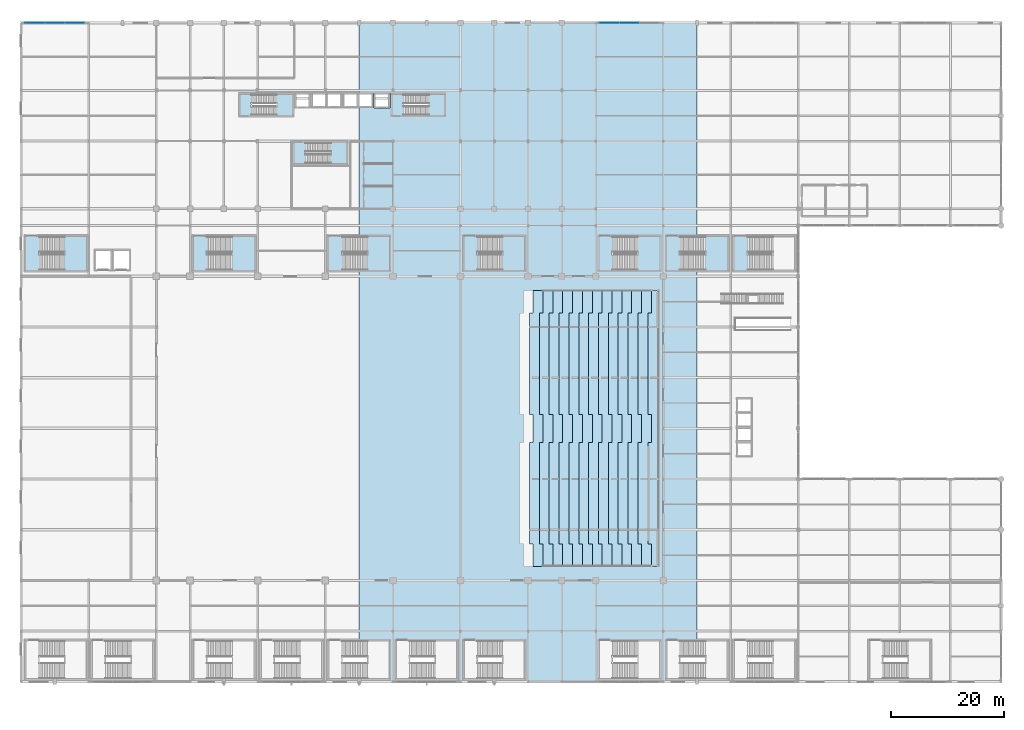
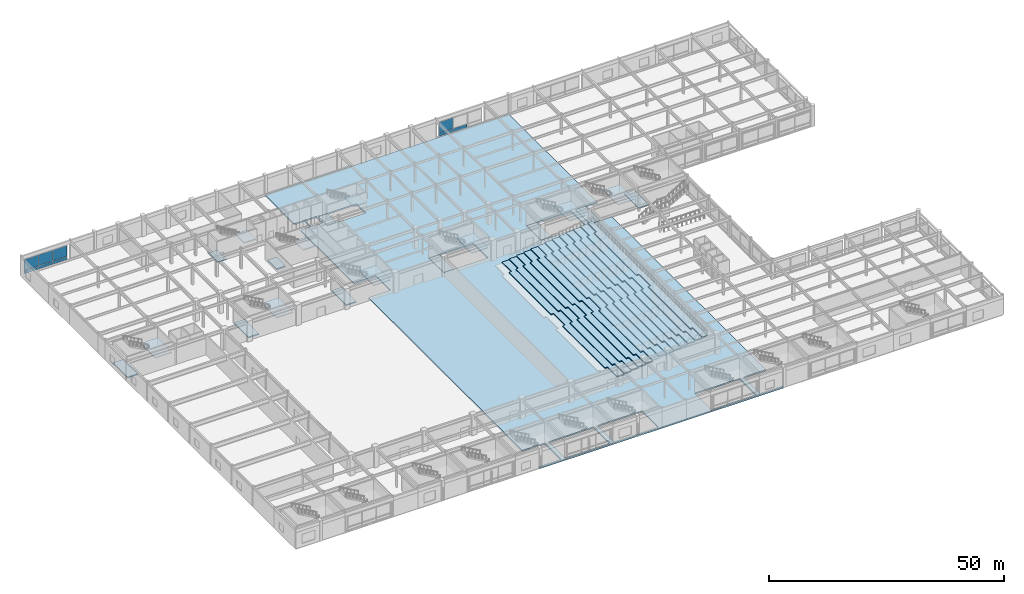
# One storey, part 76 of 100: 33 slabs, 9 plates, 11 elements without a shape of their own.
"""IFC4 building model written with IfcOpenShell, lengths in metres."""

from ifc_helpers import new_model, si_unit, direction, frame, origin, origin_2d, place, context, subcontext, project, spatial, polyline, rectangle, outline, extrude, material, layer, layer_set, type_object, element, aggregate, save


model = new_model("IFC4")

# Units and contexts
model_context = context("Model", 3, precision=1e-05, world=origin(), true_north=direction((0.0, 1.0)))
body_context = subcontext(model_context, "Body", "Model", "MODEL_VIEW")
ifc_project = project(units=[si_unit("LENGTHUNIT", "METRE"), si_unit("AREAUNIT", "SQUARE_METRE"), si_unit("VOLUMEUNIT", "CUBIC_METRE"), si_unit("PLANEANGLEUNIT", "RADIAN"), si_unit("MASSUNIT", "GRAM", prefix="KILO")], contexts=[model_context])

# Site, building, storey
site_placement = place(None, origin())
site = spatial("IfcSite", under=ifc_project, at=site_placement, CompositionType="ELEMENT")
building_placement = place(site_placement, origin())
building = spatial("IfcBuilding", under=site, at=building_placement, Name="Kaldorvane Square Convention Centre", CompositionType="ELEMENT")
storey_placement = place(building_placement, frame((0.0, 0.0, 18.0)))
storey = spatial("IfcBuildingStorey", under=building, at=storey_placement, Name="L03", CompositionType="ELEMENT", Elevation=18.0)

# Curtain wall, plates
ifc_material_1 = material(Name="Anodized Aluminum and Low-E Insulated Glazing", Category="aluminium")
curtain_wall_type = type_object("IfcCurtainWallType", Name="CW-UNI-P54-09", PredefinedType="USERDEFINED", material=ifc_material_1)
curtain_wall_1_placement = place(storey_placement, origin())
curtain_wall_1 = element("IfcCurtainWall", 1, at=curtain_wall_1_placement, inside=storey, type_object=curtain_wall_type, Name="Curtain Wall CW-04 (L03)", ObjectType="UNITISED GLAZING", PredefinedType="USERDEFINED")
ifc_layer_1 = layer(ifc_material_1, 0.0319976806640625)
ifc_layer_set_1 = layer_set([ifc_layer_1], Name="Anodized Aluminum and Low-E Insulated Glazing")
plate_type = type_object("IfcPlateType", Name="CW-PNL-04", PredefinedType="CURTAIN_PANEL", material=ifc_layer_set_1)
plate_1_placement = place(storey_placement, frame((9.51708984375, 117.0, 0.2100067138671875), z_axis=(0.0, 0.0, 1.0), x_axis=(-1.0, 0.0, 0.0)))
plate_1 = element("IfcPlate", 2, at=plate_1_placement, type_object=plate_type, Name="CW-04 panel 1.1", PredefinedType="CURTAIN_PANEL", context=body_context, shape_type="SweptSolid", body=[
    extrude(rectangle(XDim=3.4358367919921875, YDim=0.0319976806640625, at=origin_2d()), origin(), (0.0, 0.0, 1.0), 0.80999755859375),
])
plate_2_placement = place(storey_placement, frame((9.51708984375, 117.0, 1.0800018310546875), z_axis=(0.0, 0.0, 1.0), x_axis=(-1.0, 0.0, 0.0)))
plate_2 = element("IfcPlate", 3, at=plate_2_placement, type_object=plate_type, Name="CW-04 panel 1.2", PredefinedType="CURTAIN_PANEL", context=body_context, shape_type="SweptSolid", body=[
    extrude(rectangle(XDim=3.4358367919921875, YDim=0.0319976806640625, at=origin_2d()), origin(), (0.0, 0.0, 1.0), 2.82000732421875),
])
plate_3_placement = place(storey_placement, frame((6.0, 117.0, 0.2100067138671875), z_axis=(0.0, 0.0, 1.0), x_axis=(-1.0, 0.0, 0.0)))
plate_3 = element("IfcPlate", 4, at=plate_3_placement, type_object=plate_type, Name="CW-04 panel 2.1", PredefinedType="CURTAIN_PANEL", context=body_context, shape_type="SweptSolid", body=[
    extrude(rectangle(XDim=3.4683380126953125, YDim=0.0319976806640625, at=origin_2d()), origin(), (0.0, 0.0, 1.0), 0.80999755859375),
])
plate_4_placement = place(storey_placement, frame((6.0, 117.0, 1.0800018310546875), z_axis=(0.0, 0.0, 1.0), x_axis=(-1.0, 0.0, 0.0)))
plate_4 = element("IfcPlate", 5, at=plate_4_placement, type_object=plate_type, Name="CW-04 panel 2.2", PredefinedType="CURTAIN_PANEL", context=body_context, shape_type="SweptSolid", body=[
    extrude(rectangle(XDim=3.4683380126953125, YDim=0.0319976806640625, at=origin_2d()), origin(), (0.0, 0.0, 1.0), 2.82000732421875),
])
plate_5_placement = place(storey_placement, frame((2.48291015625, 117.0, 0.2100067138671875), z_axis=(0.0, 0.0, 1.0), x_axis=(-1.0, 0.0, 0.0)))
plate_5 = element("IfcPlate", 6, at=plate_5_placement, type_object=plate_type, Name="CW-04 panel 3.1", PredefinedType="CURTAIN_PANEL", context=body_context, shape_type="SweptSolid", body=[
    extrude(rectangle(XDim=3.4358367919921875, YDim=0.0319976806640625, at=origin_2d()), origin(), (0.0, 0.0, 1.0), 0.80999755859375),
])
plate_6_placement = place(storey_placement, frame((2.48291015625, 117.0, 1.0800018310546875), z_axis=(0.0, 0.0, 1.0), x_axis=(-1.0, 0.0, 0.0)))
plate_6 = element("IfcPlate", 7, at=plate_6_placement, type_object=plate_type, Name="CW-04 panel 3.2", PredefinedType="CURTAIN_PANEL", context=body_context, shape_type="SweptSolid", body=[
    extrude(rectangle(XDim=3.4358367919921875, YDim=0.0319976806640625, at=origin_2d()), origin(), (0.0, 0.0, 1.0), 2.82000732421875),
])
aggregate(curtain_wall_1, [plate_1, plate_2, plate_3, plate_4, plate_5, plate_6])

curtain_wall_2_placement = place(storey_placement, origin())
curtain_wall_2 = element("IfcCurtainWall", 8, at=curtain_wall_2_placement, inside=storey, type_object=curtain_wall_type, Name="Curtain Wall CW-04 (L03)", ObjectType="UNITISED GLAZING", PredefinedType="USERDEFINED")
plate_7_placement = place(storey_placement, frame((108.0, 117.0, 0.2100067138671875), z_axis=(0.0, 0.0, 1.0), x_axis=(-1.0, 0.0, 0.0)))
plate_7 = element("IfcPlate", 9, at=plate_7_placement, type_object=plate_type, Name="CW-04 panel 2.1", PredefinedType="CURTAIN_PANEL", context=body_context, shape_type="SweptSolid", body=[
    extrude(rectangle(XDim=3.4683380126953125, YDim=0.0319976806640625, at=origin_2d()), origin(), (0.0, 0.0, 1.0), 0.80999755859375),
])
plate_8_placement = place(storey_placement, frame((104.48291015625, 117.0, 0.2100067138671875), z_axis=(0.0, 0.0, 1.0), x_axis=(-1.0, 0.0, 0.0)))
plate_8 = element("IfcPlate", 10, at=plate_8_placement, type_object=plate_type, Name="CW-04 panel 3.1", PredefinedType="CURTAIN_PANEL", context=body_context, shape_type="SweptSolid", body=[
    extrude(rectangle(XDim=3.4358367919921875, YDim=0.0319976806640625, at=origin_2d()), origin(), (0.0, 0.0, 1.0), 0.80999755859375),
])
plate_9_placement = place(storey_placement, frame((104.48291015625, 117.0, 1.0800018310546875), z_axis=(0.0, 0.0, 1.0), x_axis=(-1.0, 0.0, 0.0)))
plate_9 = element("IfcPlate", 11, at=plate_9_placement, type_object=plate_type, Name="CW-04 panel 3.2", PredefinedType="CURTAIN_PANEL", context=body_context, shape_type="SweptSolid", body=[
    extrude(rectangle(XDim=3.4358367919921875, YDim=0.0319976806640625, at=origin_2d()), origin(), (0.0, 0.0, 1.0), 2.82000732421875),
])
aggregate(curtain_wall_2, [plate_7, plate_8, plate_9])

# Slabs
ifc_material_2 = material(Name="Concrete f'c = 42 MPa (Normalweight)", Category="concrete")
ifc_layer_2 = layer(ifc_material_2, 0.279998779296875)
ifc_layer_set_2 = layer_set([ifc_layer_2], Name="Concrete f'c = 42 MPa (Normalweight)")
slab_type_1 = type_object("IfcSlabType", Name="SL-FLND-280", PredefinedType="FLOOR", material=ifc_layer_set_2)
slab_1_placement = place(storey_placement, frame((0.0, 0.0, -0.279998779296875)))
element("IfcSlab", 12, at=slab_1_placement, inside=storey, type_object=slab_type_1, Name="Tower Exit Stair T1 Floor Landing (L03)", PredefinedType="FLOOR", context=body_context, shape_type="SweptSolid", body=[
    extrude(outline(polyline([(38.779998779296875, 100.49000549316406), (40.97999572753906, 100.49000549316406), (40.97999572753906, 104.3699951171875), (38.779998779296875, 104.3699951171875), (38.779998779296875, 100.49000549316406)])), origin(), (0.0, 0.0, 1.0), 0.279998779296875),
])
slab_2_placement = place(storey_placement, frame((0.0, 0.0, -0.279998779296875)))
element("IfcSlab", 13, at=slab_2_placement, inside=storey, type_object=slab_type_1, Name="Tower Exit Stair T2 Floor Landing (L03)", PredefinedType="FLOOR", context=body_context, shape_type="SweptSolid", body=[
    extrude(outline(polyline([(65.77999877929688, 100.49000549316406), (67.97999572753906, 100.49000549316406), (67.97999572753906, 104.3699951171875), (65.77999877929688, 104.3699951171875), (65.77999877929688, 100.49000549316406)])), origin(), (0.0, 0.0, 1.0), 0.279998779296875),
])
slab_3_placement = place(storey_placement, frame((0.0, 0.0, -0.279998779296875)))
element("IfcSlab", 14, at=slab_3_placement, inside=storey, type_object=slab_type_1, Name="Tower Exit Stair T3 Floor Landing (L03)", PredefinedType="FLOOR", context=body_context, shape_type="SweptSolid", body=[
    extrude(outline(polyline([(48.3800048828125, 91.94000244140625), (50.58000183105469, 91.94000244140625), (50.58000183105469, 95.82000732421875), (48.3800048828125, 95.82000732421875), (48.3800048828125, 91.94000244140625)])), origin(), (0.0, 0.0, 1.0), 0.279998779296875),
])
slab_4_placement = place(storey_placement, frame((0.0, 0.0, -0.279998779296875)))
element("IfcSlab", 15, at=slab_4_placement, inside=storey, type_object=slab_type_1, Name="Convention Exit Stair C12 Floor Landing (L03)", PredefinedType="FLOOR", context=body_context, shape_type="SweptSolid", body=[
    extrude(outline(polyline([(0.7400054931640625, 72.97999572753906), (3.2899932861328125, 72.97999572753906), (3.2899932861328125, 79.17999267578125), (0.7400054931640625, 79.17999267578125), (0.7400054931640625, 72.97999572753906)])), origin(), (0.0, 0.0, 1.0), 0.279998779296875),
])
slab_5_placement = place(storey_placement, frame((0.0, 0.0, -0.279998779296875)))
element("IfcSlab", 16, at=slab_5_placement, inside=storey, type_object=slab_type_1, Name="Convention Exit Stair C13 Floor Landing (L03)", PredefinedType="FLOOR", context=body_context, shape_type="SweptSolid", body=[
    extrude(outline(polyline([(30.520004272460938, 72.97999572753906), (33.07000732421875, 72.97999572753906), (33.07000732421875, 79.17999267578125), (30.520004272460938, 79.17999267578125), (30.520004272460938, 72.97999572753906)])), origin(), (0.0, 0.0, 1.0), 0.279998779296875),
])
slab_6_placement = place(storey_placement, frame((0.0, 0.0, -0.279998779296875)))
element("IfcSlab", 17, at=slab_6_placement, inside=storey, type_object=slab_type_1, Name="Convention Exit Stair C14 Floor Landing (L03)", PredefinedType="FLOOR", context=body_context, shape_type="SweptSolid", body=[
    extrude(outline(polyline([(54.52000427246094, 72.97999572753906), (57.07000732421875, 72.97999572753906), (57.07000732421875, 79.17999267578125), (54.52000427246094, 79.17999267578125), (54.52000427246094, 72.97999572753906)])), origin(), (0.0, 0.0, 1.0), 0.279998779296875),
])
slab_7_placement = place(storey_placement, frame((0.0, 0.0, -0.279998779296875)))
element("IfcSlab", 18, at=slab_7_placement, inside=storey, type_object=slab_type_1, Name="Convention Exit Stair C15 Floor Landing (L03)", PredefinedType="FLOOR", context=body_context, shape_type="SweptSolid", body=[
    extrude(outline(polyline([(78.52000427246094, 72.97999572753906), (81.07000732421875, 72.97999572753906), (81.07000732421875, 79.17999267578125), (78.52000427246094, 79.17999267578125), (78.52000427246094, 72.97999572753906)])), origin(), (0.0, 0.0, 1.0), 0.279998779296875),
])
slab_8_placement = place(storey_placement, frame((0.0, 0.0, -0.279998779296875)))
element("IfcSlab", 19, at=slab_8_placement, inside=storey, type_object=slab_type_1, Name="Convention Exit Stair C16 Floor Landing (L03)", PredefinedType="FLOOR", context=body_context, shape_type="SweptSolid", body=[
    extrude(outline(polyline([(102.52000427246094, 72.97999572753906), (105.07000732421875, 72.97999572753906), (105.07000732421875, 79.17999267578125), (102.52000427246094, 79.17999267578125), (102.52000427246094, 72.97999572753906)])), origin(), (0.0, 0.0, 1.0), 0.279998779296875),
])
slab_9_placement = place(storey_placement, frame((0.0, 0.0, -0.279998779296875)))
element("IfcSlab", 20, at=slab_9_placement, inside=storey, type_object=slab_type_1, Name="Convention Exit Stair C17 Floor Landing (L03)", PredefinedType="FLOOR", context=body_context, shape_type="SweptSolid", body=[
    extrude(outline(polyline([(114.52000427246094, 72.97999572753906), (117.07000732421875, 72.97999572753906), (117.07000732421875, 79.17999267578125), (114.52000427246094, 79.17999267578125), (114.52000427246094, 72.97999572753906)])), origin(), (0.0, 0.0, 1.0), 0.279998779296875),
])
slab_10_placement = place(storey_placement, frame((0.0, 0.0, -0.279998779296875)))
element("IfcSlab", 21, at=slab_10_placement, inside=storey, type_object=slab_type_1, Name="Convention Exit Stair C18 Floor Landing (L03)", PredefinedType="FLOOR", context=body_context, shape_type="SweptSolid", body=[
    extrude(outline(polyline([(126.52000427246094, 72.97999572753906), (129.07000732421875, 72.97999572753906), (129.07000732421875, 79.17999267578125), (126.52000427246094, 79.17999267578125), (126.52000427246094, 72.97999572753906)])), origin(), (0.0, 0.0, 1.0), 0.279998779296875),
])
ifc_layer_3 = layer(ifc_material_2, 0.350006103515625)
ifc_layer_set_3 = layer_set([ifc_layer_3], Name="Concrete f'c = 42 MPa (Normalweight)")
slab_type_2 = type_object("IfcSlabType", Name="SL-HALL-350", PredefinedType="FLOOR", material=ifc_layer_set_3)
slab_11_placement = place(storey_placement, frame((0.0, 0.0, -0.350006103515625)))
element("IfcSlab", 22, at=slab_11_placement, inside=storey, type_object=slab_type_2, Name="Podium Composite Floor Slab L03-2", PredefinedType="FLOOR", context=body_context, shape_type="SweptSolid", body=[
    extrude(outline(polyline([(120.0, 117.0), (120.0, 79.17999267578125), (114.52000427246094, 79.17999267578125), (114.52000427246094, 72.97999572753906), (120.0, 72.97999572753906), (120.0, 7.3800048828125), (114.52000427246094, 7.3800048828125), (114.52000427246094, 0.42999267578125), (120.0, 0.42999267578125), (120.0, 0.0), (60.0, 0.0), (60.0, 0.42999267578125), (65.47999572753906, 0.42999267578125), (65.47999572753906, 7.3800048828125), (60.0, 7.3800048828125), (60.0, 72.97999572753906), (65.47999572753906, 72.97999572753906), (65.47999572753906, 79.17999267578125), (60.0, 79.17999267578125), (60.0, 101.94999694824219), (62.5, 101.94999694824219), (62.5, 104.55000305175781), (60.0, 104.55000305175781), (60.0, 117.0), (120.0, 117.0)]), holes=[polyline([(113.47999572753906, 0.42999267578125), (113.47999572753906, 7.3800048828125), (102.52000427246094, 7.3800048828125), (102.52000427246094, 0.42999267578125), (113.47999572753906, 0.42999267578125)]), polyline([(89.47999572753906, 0.42999267578125), (89.47999572753906, 7.3800048828125), (78.52000427246094, 7.3800048828125), (78.52000427246094, 0.42999267578125), (89.47999572753906, 0.42999267578125)]), polyline([(77.47999572753906, 0.42999267578125), (77.47999572753906, 7.3800048828125), (66.52000427246094, 7.3800048828125), (66.52000427246094, 0.42999267578125), (77.47999572753906, 0.42999267578125)]), polyline([(113.47999572753906, 72.97999572753906), (113.47999572753906, 79.17999267578125), (102.52000427246094, 79.17999267578125), (102.52000427246094, 72.97999572753906), (113.47999572753906, 72.97999572753906)]), polyline([(89.47999572753906, 72.97999572753906), (89.47999572753906, 79.17999267578125), (78.52000427246094, 79.17999267578125), (78.52000427246094, 72.97999572753906), (89.47999572753906, 72.97999572753906)]), polyline([(65.77999877929688, 100.49000549316406), (75.22000122070312, 100.49000549316406), (75.22000122070312, 104.3699951171875), (65.77999877929688, 104.3699951171875), (65.77999877929688, 100.49000549316406)]), polyline([(62.649993896484375, 101.85000610351562), (65.44999694824219, 101.85000610351562), (65.44999694824219, 104.55000305175781), (62.649993896484375, 104.55000305175781), (62.649993896484375, 101.85000610351562)])]), origin(), (0.0, 0.0, 1.0), 0.350006103515625),
])

# Stair, slab
stair_type_1 = type_object("IfcStairType", Name="ST-DL-1600-5400", PredefinedType="HALF_TURN_STAIR", material=ifc_material_2)
stair_1_placement = place(storey_placement, origin())
stair_1 = element("IfcStair", 23, at=stair_1_placement, inside=storey, type_object=stair_type_1, Name="Tower Exit Stair T1 (L03)", PredefinedType="HALF_TURN_STAIR")
ifc_layer_4 = layer(ifc_material_2, 0.2400054931640625)
ifc_layer_set_4 = layer_set([ifc_layer_4], Name="Concrete f'c = 42 MPa (Normalweight)")
slab_type_3 = type_object("IfcSlabType", Name="SL-LAND-240", PredefinedType="LANDING", material=ifc_layer_set_4)
slab_12_placement = place(storey_placement, frame((0.0, 0.0, 2.4600067138671875)))
slab_12 = element("IfcSlab", 24, at=slab_12_placement, type_object=slab_type_3, Name="Tower Exit Stair T1 Half Landing (L03)", PredefinedType="LANDING", context=body_context, shape_type="SweptSolid", body=[
    extrude(outline(polyline([(45.32000732421875, 100.49000549316406), (48.220001220703125, 100.49000549316406), (48.220001220703125, 104.3699951171875), (45.32000732421875, 104.3699951171875), (45.32000732421875, 100.49000549316406)])), origin(), (0.0, 0.0, 1.0), 0.239990234375),
])
aggregate(stair_1, [slab_12])

stair_2_placement = place(storey_placement, origin())
stair_2 = element("IfcStair", 25, at=stair_2_placement, inside=storey, type_object=stair_type_1, Name="Tower Exit Stair T2 (L03)", PredefinedType="HALF_TURN_STAIR")
slab_13_placement = place(storey_placement, frame((0.0, 0.0, 2.4600067138671875)))
slab_13 = element("IfcSlab", 26, at=slab_13_placement, type_object=slab_type_3, Name="Tower Exit Stair T2 Half Landing (L03)", PredefinedType="LANDING", context=body_context, shape_type="SweptSolid", body=[
    extrude(outline(polyline([(72.32000732421875, 100.49000549316406), (75.22000122070312, 100.49000549316406), (75.22000122070312, 104.3699951171875), (72.32000732421875, 104.3699951171875), (72.32000732421875, 100.49000549316406)])), origin(), (0.0, 0.0, 1.0), 0.239990234375),
])
aggregate(stair_2, [slab_13])

stair_3_placement = place(storey_placement, origin())
stair_3 = element("IfcStair", 27, at=stair_3_placement, inside=storey, type_object=stair_type_1, Name="Tower Exit Stair T3 (L03)", PredefinedType="HALF_TURN_STAIR")
slab_14_placement = place(storey_placement, frame((0.0, 0.0, 2.4600067138671875)))
slab_14 = element("IfcSlab", 28, at=slab_14_placement, type_object=slab_type_3, Name="Tower Exit Stair T3 Half Landing (L03)", PredefinedType="LANDING", context=body_context, shape_type="SweptSolid", body=[
    extrude(outline(polyline([(54.91999816894531, 91.94000244140625), (57.82000732421875, 91.94000244140625), (57.82000732421875, 95.82000732421875), (54.91999816894531, 95.82000732421875), (54.91999816894531, 91.94000244140625)])), origin(), (0.0, 0.0, 1.0), 0.239990234375),
])
aggregate(stair_3, [slab_14])

stair_type_2 = type_object("IfcStairType", Name="ST-DL-2800-5400", PredefinedType="HALF_TURN_STAIR", material=ifc_material_2)
stair_4_placement = place(storey_placement, origin())
stair_4 = element("IfcStair", 29, at=stair_4_placement, inside=storey, type_object=stair_type_2, Name="Convention Exit Stair C12 (L03)", PredefinedType="HALF_TURN_STAIR")
slab_15_placement = place(storey_placement, frame((0.0, 0.0, 2.4600067138671875)))
slab_15 = element("IfcSlab", 30, at=slab_15_placement, type_object=slab_type_3, Name="Convention Exit Stair C12 Half Landing (L03)", PredefinedType="LANDING", context=body_context, shape_type="SweptSolid", body=[
    extrude(outline(polyline([(7.6300048828125, 72.97999572753906), (11.699996948242188, 72.97999572753906), (11.699996948242188, 79.17999267578125), (7.6300048828125, 79.17999267578125), (7.6300048828125, 72.97999572753906)])), origin(), (0.0, 0.0, 1.0), 0.239990234375),
])
aggregate(stair_4, [slab_15])

stair_5_placement = place(storey_placement, origin())
stair_5 = element("IfcStair", 31, at=stair_5_placement, inside=storey, type_object=stair_type_2, Name="Convention Exit Stair C13 (L03)", PredefinedType="HALF_TURN_STAIR")
slab_16_placement = place(storey_placement, frame((0.0, 0.0, 2.4600067138671875)))
slab_16 = element("IfcSlab", 32, at=slab_16_placement, type_object=slab_type_3, Name="Convention Exit Stair C13 Half Landing (L03)", PredefinedType="LANDING", context=body_context, shape_type="SweptSolid", body=[
    extrude(outline(polyline([(37.410003662109375, 72.97999572753906), (41.47999572753906, 72.97999572753906), (41.47999572753906, 79.17999267578125), (37.410003662109375, 79.17999267578125), (37.410003662109375, 72.97999572753906)])), origin(), (0.0, 0.0, 1.0), 0.239990234375),
])
aggregate(stair_5, [slab_16])

stair_6_placement = place(storey_placement, origin())
stair_6 = element("IfcStair", 33, at=stair_6_placement, inside=storey, type_object=stair_type_2, Name="Convention Exit Stair C14 (L03)", PredefinedType="HALF_TURN_STAIR")
slab_17_placement = place(storey_placement, frame((0.0, 0.0, 2.4600067138671875)))
slab_17 = element("IfcSlab", 34, at=slab_17_placement, type_object=slab_type_3, Name="Convention Exit Stair C14 Half Landing (L03)", PredefinedType="LANDING", context=body_context, shape_type="SweptSolid", body=[
    extrude(outline(polyline([(61.410003662109375, 72.97999572753906), (65.47999572753906, 72.97999572753906), (65.47999572753906, 79.17999267578125), (61.410003662109375, 79.17999267578125), (61.410003662109375, 72.97999572753906)])), origin(), (0.0, 0.0, 1.0), 0.239990234375),
])
aggregate(stair_6, [slab_17])

stair_7_placement = place(storey_placement, origin())
stair_7 = element("IfcStair", 35, at=stair_7_placement, inside=storey, type_object=stair_type_2, Name="Convention Exit Stair C15 (L03)", PredefinedType="HALF_TURN_STAIR")
slab_18_placement = place(storey_placement, frame((0.0, 0.0, 2.4600067138671875)))
slab_18 = element("IfcSlab", 36, at=slab_18_placement, type_object=slab_type_3, Name="Convention Exit Stair C15 Half Landing (L03)", PredefinedType="LANDING", context=body_context, shape_type="SweptSolid", body=[
    extrude(outline(polyline([(85.41000366210938, 72.97999572753906), (89.47999572753906, 72.97999572753906), (89.47999572753906, 79.17999267578125), (85.41000366210938, 79.17999267578125), (85.41000366210938, 72.97999572753906)])), origin(), (0.0, 0.0, 1.0), 0.239990234375),
])
aggregate(stair_7, [slab_18])

stair_8_placement = place(storey_placement, origin())
stair_8 = element("IfcStair", 37, at=stair_8_placement, inside=storey, type_object=stair_type_2, Name="Convention Exit Stair C16 (L03)", PredefinedType="HALF_TURN_STAIR")
slab_19_placement = place(storey_placement, frame((0.0, 0.0, 2.4600067138671875)))
slab_19 = element("IfcSlab", 38, at=slab_19_placement, type_object=slab_type_3, Name="Convention Exit Stair C16 Half Landing (L03)", PredefinedType="LANDING", context=body_context, shape_type="SweptSolid", body=[
    extrude(outline(polyline([(109.41000366210938, 72.97999572753906), (113.47999572753906, 72.97999572753906), (113.47999572753906, 79.17999267578125), (109.41000366210938, 79.17999267578125), (109.41000366210938, 72.97999572753906)])), origin(), (0.0, 0.0, 1.0), 0.239990234375),
])
aggregate(stair_8, [slab_19])

stair_9_placement = place(storey_placement, origin())
stair_9 = element("IfcStair", 39, at=stair_9_placement, inside=storey, type_object=stair_type_2, Name="Convention Exit Stair C17 (L03)", PredefinedType="HALF_TURN_STAIR")
slab_20_placement = place(storey_placement, frame((0.0, 0.0, 2.4600067138671875)))
slab_20 = element("IfcSlab", 40, at=slab_20_placement, type_object=slab_type_3, Name="Convention Exit Stair C17 Half Landing (L03)", PredefinedType="LANDING", context=body_context, shape_type="SweptSolid", body=[
    extrude(outline(polyline([(121.41000366210938, 72.97999572753906), (125.47999572753906, 72.97999572753906), (125.47999572753906, 79.17999267578125), (121.41000366210938, 79.17999267578125), (121.41000366210938, 72.97999572753906)])), origin(), (0.0, 0.0, 1.0), 0.239990234375),
])
aggregate(stair_9, [slab_20])

# Slabs
ifc_material_3 = material(Name="Concrete f'c = 35 MPa (Normalweight)", Category="concrete")
ifc_layer_5 = layer(ifc_material_3, 0.2599945068359375)
ifc_layer_set_5 = layer_set([ifc_layer_5], Name="Concrete f'c = 35 MPa (Normalweight)")
slab_type_4 = type_object("IfcSlabType", Name="SL-TIER-260", PredefinedType="USERDEFINED", material=ifc_layer_set_5)
slab_21_placement = place(storey_placement, frame((0.0, 0.0, 0.2400054931640625)))
element("IfcSlab", 41, at=slab_21_placement, inside=storey, type_object=slab_type_4, Name="Plenary Hall Seating Tier 02", ObjectType="SEATING TIER", PredefinedType="USERDEFINED", context=body_context, shape_type="SweptSolid", body=[
    extrude(outline(polyline([(92.64999389648438, 24.5), (92.64999389648438, 20.5), (92.0, 20.5), (90.89999389648438, 20.5), (90.89999389648438, 24.5), (90.25, 24.5), (90.25, 42.5), (90.89999389648438, 42.5), (90.89999389648438, 47.5), (90.25, 47.5), (90.25, 65.5), (90.89999389648438, 65.5), (90.89999389648438, 69.5), (92.0, 69.5), (92.64999389648438, 69.5), (92.64999389648438, 65.5), (92.0, 65.5), (92.0, 47.5), (92.64999389648438, 47.5), (92.64999389648438, 42.5), (92.0, 42.5), (92.0, 24.5), (92.64999389648438, 24.5)])), origin(), (0.0, 0.0, 1.0), 0.2599945068359375),
])
slab_22_placement = place(storey_placement, frame((0.0, 0.0, 0.4799957275390625)))
element("IfcSlab", 42, at=slab_22_placement, inside=storey, type_object=slab_type_4, Name="Plenary Hall Seating Tier 03", ObjectType="SEATING TIER", PredefinedType="USERDEFINED", context=body_context, shape_type="SweptSolid", body=[
    extrude(outline(polyline([(94.39999389648438, 24.5), (94.39999389648438, 20.5), (93.75, 20.5), (92.64999389648438, 20.5), (92.64999389648438, 24.5), (92.0, 24.5), (92.0, 42.5), (92.64999389648438, 42.5), (92.64999389648438, 47.5), (92.0, 47.5), (92.0, 65.5), (92.64999389648438, 65.5), (92.64999389648438, 69.5), (93.75, 69.5), (94.39999389648438, 69.5), (94.39999389648438, 65.5), (93.75, 65.5), (93.75, 47.5), (94.39999389648438, 47.5), (94.39999389648438, 42.5), (93.75, 42.5), (93.75, 24.5), (94.39999389648438, 24.5)])), origin(), (0.0, 0.0, 1.0), 0.260009765625),
])
slab_23_placement = place(storey_placement, frame((0.0, 0.0, 0.720001220703125)))
element("IfcSlab", 43, at=slab_23_placement, inside=storey, type_object=slab_type_4, Name="Plenary Hall Seating Tier 04", ObjectType="SEATING TIER", PredefinedType="USERDEFINED", context=body_context, shape_type="SweptSolid", body=[
    extrude(outline(polyline([(96.14999389648438, 24.5), (96.14999389648438, 20.5), (95.5, 20.5), (94.39999389648438, 20.5), (94.39999389648438, 24.5), (93.75, 24.5), (93.75, 42.5), (94.39999389648438, 42.5), (94.39999389648438, 47.5), (93.75, 47.5), (93.75, 65.5), (94.39999389648438, 65.5), (94.39999389648438, 69.5), (95.5, 69.5), (96.14999389648438, 69.5), (96.14999389648438, 65.5), (95.5, 65.5), (95.5, 47.5), (96.14999389648438, 47.5), (96.14999389648438, 42.5), (95.5, 42.5), (95.5, 24.5), (96.14999389648438, 24.5)])), origin(), (0.0, 0.0, 1.0), 0.2599945068359375),
])
slab_24_placement = place(storey_placement, frame((0.0, 0.0, 0.9600067138671875)))
element("IfcSlab", 44, at=slab_24_placement, inside=storey, type_object=slab_type_4, Name="Plenary Hall Seating Tier 05", ObjectType="SEATING TIER", PredefinedType="USERDEFINED", context=body_context, shape_type="SweptSolid", body=[
    extrude(outline(polyline([(97.89999389648438, 24.5), (97.89999389648438, 20.5), (97.25, 20.5), (96.14999389648438, 20.5), (96.14999389648438, 24.5), (95.5, 24.5), (95.5, 42.5), (96.14999389648438, 42.5), (96.14999389648438, 47.5), (95.5, 47.5), (95.5, 65.5), (96.14999389648438, 65.5), (96.14999389648438, 69.5), (97.25, 69.5), (97.89999389648438, 69.5), (97.89999389648438, 65.5), (97.25, 65.5), (97.25, 47.5), (97.89999389648438, 47.5), (97.89999389648438, 42.5), (97.25, 42.5), (97.25, 24.5), (97.89999389648438, 24.5)])), origin(), (0.0, 0.0, 1.0), 0.2599945068359375),
])
slab_25_placement = place(storey_placement, frame((0.0, 0.0, 1.1999969482421875)))
element("IfcSlab", 45, at=slab_25_placement, inside=storey, type_object=slab_type_4, Name="Plenary Hall Seating Tier 06", ObjectType="SEATING TIER", PredefinedType="USERDEFINED", context=body_context, shape_type="SweptSolid", body=[
    extrude(outline(polyline([(99.64999389648438, 24.5), (99.64999389648438, 20.5), (99.0, 20.5), (97.89999389648438, 20.5), (97.89999389648438, 24.5), (97.25, 24.5), (97.25, 42.5), (97.89999389648438, 42.5), (97.89999389648438, 47.5), (97.25, 47.5), (97.25, 65.5), (97.89999389648438, 65.5), (97.89999389648438, 69.5), (99.0, 69.5), (99.64999389648438, 69.5), (99.64999389648438, 65.5), (99.0, 65.5), (99.0, 47.5), (99.64999389648438, 47.5), (99.64999389648438, 42.5), (99.0, 42.5), (99.0, 24.5), (99.64999389648438, 24.5)])), origin(), (0.0, 0.0, 1.0), 0.260009765625),
])
slab_26_placement = place(storey_placement, frame((0.0, 0.0, 1.44000244140625)))
element("IfcSlab", 46, at=slab_26_placement, inside=storey, type_object=slab_type_4, Name="Plenary Hall Seating Tier 07", ObjectType="SEATING TIER", PredefinedType="USERDEFINED", context=body_context, shape_type="SweptSolid", body=[
    extrude(outline(polyline([(101.39999389648438, 24.5), (101.39999389648438, 20.5), (100.75, 20.5), (99.64999389648438, 20.5), (99.64999389648438, 24.5), (99.0, 24.5), (99.0, 42.5), (99.64999389648438, 42.5), (99.64999389648438, 47.5), (99.0, 47.5), (99.0, 65.5), (99.64999389648438, 65.5), (99.64999389648438, 69.5), (100.75, 69.5), (101.39999389648438, 69.5), (101.39999389648438, 65.5), (100.75, 65.5), (100.75, 47.5), (101.39999389648438, 47.5), (101.39999389648438, 42.5), (100.75, 42.5), (100.75, 24.5), (101.39999389648438, 24.5)])), origin(), (0.0, 0.0, 1.0), 0.2599945068359375),
])
slab_27_placement = place(storey_placement, frame((0.0, 0.0, 1.67999267578125)))
element("IfcSlab", 47, at=slab_27_placement, inside=storey, type_object=slab_type_4, Name="Plenary Hall Seating Tier 08", ObjectType="SEATING TIER", PredefinedType="USERDEFINED", context=body_context, shape_type="SweptSolid", body=[
    extrude(outline(polyline([(103.14999389648438, 24.5), (103.14999389648438, 20.5), (102.5, 20.5), (101.39999389648438, 20.5), (101.39999389648438, 24.5), (100.75, 24.5), (100.75, 42.5), (101.39999389648438, 42.5), (101.39999389648438, 47.5), (100.75, 47.5), (100.75, 65.5), (101.39999389648438, 65.5), (101.39999389648438, 69.5), (102.5, 69.5), (103.14999389648438, 69.5), (103.14999389648438, 65.5), (102.5, 65.5), (102.5, 47.5), (103.14999389648438, 47.5), (103.14999389648438, 42.5), (102.5, 42.5), (102.5, 24.5), (103.14999389648438, 24.5)])), origin(), (0.0, 0.0, 1.0), 0.260009765625),
])
slab_28_placement = place(storey_placement, frame((0.0, 0.0, 1.9199981689453125)))
element("IfcSlab", 48, at=slab_28_placement, inside=storey, type_object=slab_type_4, Name="Plenary Hall Seating Tier 09", ObjectType="SEATING TIER", PredefinedType="USERDEFINED", context=body_context, shape_type="SweptSolid", body=[
    extrude(outline(polyline([(104.89999389648438, 24.5), (104.89999389648438, 20.5), (104.25, 20.5), (103.14999389648438, 20.5), (103.14999389648438, 24.5), (102.5, 24.5), (102.5, 42.5), (103.14999389648438, 42.5), (103.14999389648438, 47.5), (102.5, 47.5), (102.5, 65.5), (103.14999389648438, 65.5), (103.14999389648438, 69.5), (104.25, 69.5), (104.89999389648438, 69.5), (104.89999389648438, 65.5), (104.25, 65.5), (104.25, 47.5), (104.89999389648438, 47.5), (104.89999389648438, 42.5), (104.25, 42.5), (104.25, 24.5), (104.89999389648438, 24.5)])), origin(), (0.0, 0.0, 1.0), 0.2599945068359375),
])
slab_29_placement = place(storey_placement, frame((0.0, 0.0, 2.160003662109375)))
element("IfcSlab", 49, at=slab_29_placement, inside=storey, type_object=slab_type_4, Name="Plenary Hall Seating Tier 10", ObjectType="SEATING TIER", PredefinedType="USERDEFINED", context=body_context, shape_type="SweptSolid", body=[
    extrude(outline(polyline([(106.64999389648438, 24.5), (106.64999389648438, 20.5), (106.0, 20.5), (104.89999389648438, 20.5), (104.89999389648438, 24.5), (104.25, 24.5), (104.25, 42.5), (104.89999389648438, 42.5), (104.89999389648438, 47.5), (104.25, 47.5), (104.25, 65.5), (104.89999389648438, 65.5), (104.89999389648438, 69.5), (106.0, 69.5), (106.64999389648438, 69.5), (106.64999389648438, 65.5), (106.0, 65.5), (106.0, 47.5), (106.64999389648438, 47.5), (106.64999389648438, 42.5), (106.0, 42.5), (106.0, 24.5), (106.64999389648438, 24.5)])), origin(), (0.0, 0.0, 1.0), 0.2599945068359375),
])
slab_30_placement = place(storey_placement, frame((0.0, 0.0, 2.399993896484375)))
element("IfcSlab", 50, at=slab_30_placement, inside=storey, type_object=slab_type_4, Name="Plenary Hall Seating Tier 11", ObjectType="SEATING TIER", PredefinedType="USERDEFINED", context=body_context, shape_type="SweptSolid", body=[
    extrude(outline(polyline([(108.39999389648438, 24.5), (108.39999389648438, 20.5), (107.75, 20.5), (106.64999389648438, 20.5), (106.64999389648438, 24.5), (106.0, 24.5), (106.0, 42.5), (106.64999389648438, 42.5), (106.64999389648438, 47.5), (106.0, 47.5), (106.0, 65.5), (106.64999389648438, 65.5), (106.64999389648438, 69.5), (107.75, 69.5), (108.39999389648438, 69.5), (108.39999389648438, 65.5), (107.75, 65.5), (107.75, 47.5), (108.39999389648438, 47.5), (108.39999389648438, 42.5), (107.75, 42.5), (107.75, 24.5), (108.39999389648438, 24.5)])), origin(), (0.0, 0.0, 1.0), 0.260009765625),
])
slab_31_placement = place(storey_placement, frame((0.0, 0.0, 2.6399993896484375)))
element("IfcSlab", 51, at=slab_31_placement, inside=storey, type_object=slab_type_4, Name="Plenary Hall Seating Tier 12", ObjectType="SEATING TIER", PredefinedType="USERDEFINED", context=body_context, shape_type="SweptSolid", body=[
    extrude(outline(polyline([(110.14999389648438, 24.5), (110.14999389648438, 20.5), (109.5, 20.5), (108.39999389648438, 20.5), (108.39999389648438, 24.5), (107.75, 24.5), (107.75, 42.5), (108.39999389648438, 42.5), (108.39999389648438, 47.5), (107.75, 47.5), (107.75, 65.5), (108.39999389648438, 65.5), (108.39999389648438, 69.5), (109.5, 69.5), (110.14999389648438, 69.5), (110.14999389648438, 65.5), (109.5, 65.5), (109.5, 47.5), (110.14999389648438, 47.5), (110.14999389648438, 42.5), (109.5, 42.5), (109.5, 24.5), (110.14999389648438, 24.5)])), origin(), (0.0, 0.0, 1.0), 0.2599945068359375),
])
slab_32_placement = place(storey_placement, frame((0.0, 0.0, 2.8800048828125)))
element("IfcSlab", 52, at=slab_32_placement, inside=storey, type_object=slab_type_4, Name="Plenary Hall Seating Tier 13", ObjectType="SEATING TIER", PredefinedType="USERDEFINED", context=body_context, shape_type="SweptSolid", body=[
    extrude(outline(polyline([(111.89999389648438, 24.5), (111.89999389648438, 20.5), (111.25, 20.5), (110.14999389648438, 20.5), (110.14999389648438, 24.5), (109.5, 24.5), (109.5, 42.5), (110.14999389648438, 42.5), (110.14999389648438, 47.5), (109.5, 47.5), (109.5, 65.5), (110.14999389648438, 65.5), (110.14999389648438, 69.5), (111.25, 69.5), (111.89999389648438, 69.5), (111.89999389648438, 65.5), (111.25, 65.5), (111.25, 47.5), (111.89999389648438, 47.5), (111.89999389648438, 42.5), (111.25, 42.5), (111.25, 24.5), (111.89999389648438, 24.5)])), origin(), (0.0, 0.0, 1.0), 0.2599945068359375),
])
slab_33_placement = place(storey_placement, frame((0.0, 0.0, 3.1199951171875)))
element("IfcSlab", 53, at=slab_33_placement, inside=storey, type_object=slab_type_4, Name="Plenary Hall Seating Tier 14", ObjectType="SEATING TIER", PredefinedType="USERDEFINED", context=body_context, shape_type="SweptSolid", body=[
    extrude(outline(polyline([(113.19999694824219, 69.5), (113.19999694824219, 20.5), (111.89999389648438, 20.5), (111.89999389648438, 24.5), (111.25, 24.5), (111.25, 42.5), (111.89999389648438, 42.5), (111.89999389648438, 47.5), (111.25, 47.5), (111.25, 65.5), (111.89999389648438, 65.5), (111.89999389648438, 69.5), (113.19999694824219, 69.5)])), origin(), (0.0, 0.0, 1.0), 0.260009765625),
])

save(model, "model.ifc")
